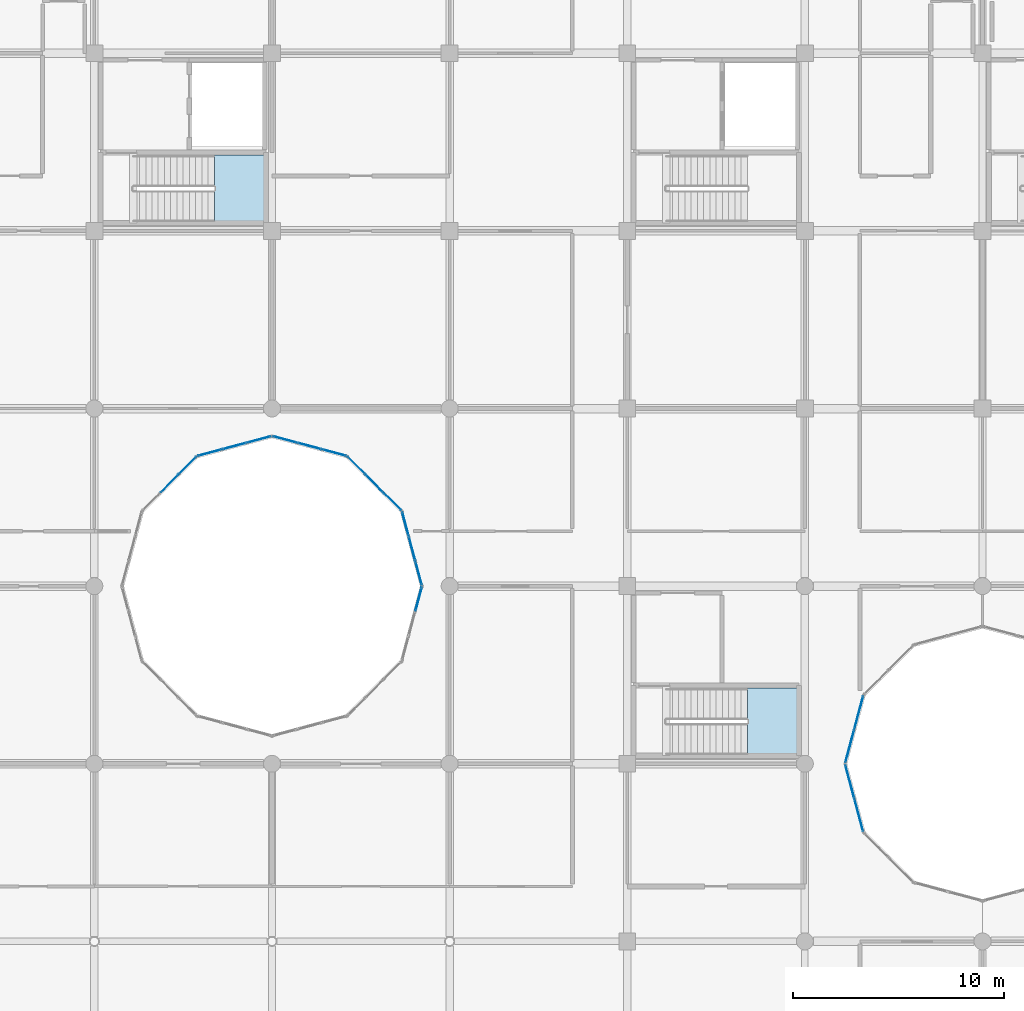
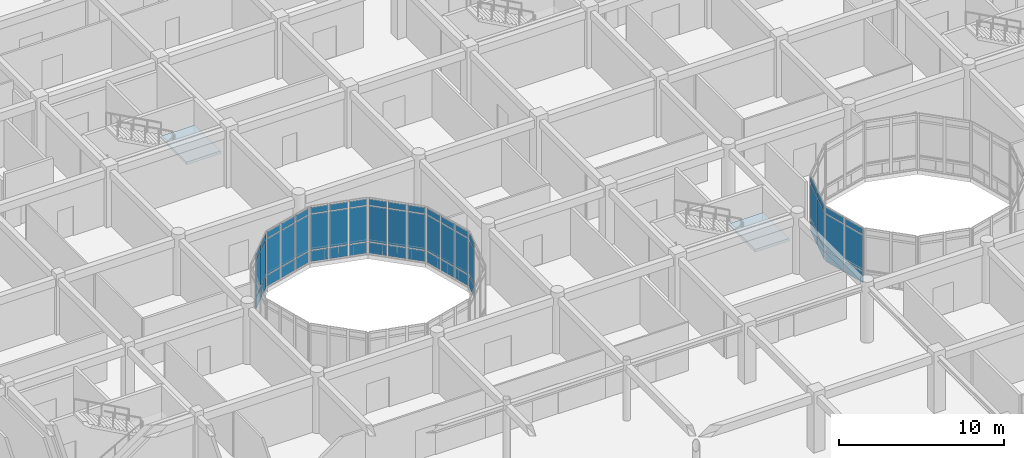
# One storey, part 82 of 144: 57 plates, 2 slabs, 10 elements without a shape of their own.
"""IFC4 building model written with IfcOpenShell, lengths in metres."""

from ifc_helpers import new_model, si_unit, direction, frame, origin, origin_2d, place, context, subcontext, project, spatial, polyline, rectangle, outline, extrude, material, layer, layer_set, type_object, element, aggregate, save


model = new_model("IFC4")

# Units and contexts
model_context = context("Model", 3, precision=1e-05, world=origin(), true_north=direction((0.0, 1.0)))
body_context = subcontext(model_context, "Body", "Model", "MODEL_VIEW")
ifc_project = project(units=[si_unit("LENGTHUNIT", "METRE"), si_unit("AREAUNIT", "SQUARE_METRE"), si_unit("VOLUMEUNIT", "CUBIC_METRE"), si_unit("PLANEANGLEUNIT", "RADIAN"), si_unit("MASSUNIT", "GRAM", prefix="KILO")], contexts=[model_context])

# Site, building, storey
site_placement = place(None, origin())
site = spatial("IfcSite", under=ifc_project, at=site_placement, CompositionType="ELEMENT")
building_placement = place(site_placement, origin())
building = spatial("IfcBuilding", under=site, at=building_placement, Name="Bramfleet General Hospital", CompositionType="ELEMENT")
storey_placement = place(building_placement, frame((0.0, 0.0, 4.800048828125)))
storey = spatial("IfcBuildingStorey", under=building, at=storey_placement, Name="L01", CompositionType="ELEMENT", Elevation=4.800048828125)

# Curtain wall, plates
ifc_material_1 = material(Name="Anodised aluminium and low-E triple glazing", Category="aluminium")
ifc_layer_1 = layer(ifc_material_1, 0.179931640625, Name="CWT-CW-18")
ifc_layer_set_1 = layer_set([ifc_layer_1], Name="Anodised aluminium and low-E triple glazing")
curtain_wall_type_1 = type_object("IfcCurtainWallType", Name="CWT-CW-18", PredefinedType="USERDEFINED", material=ifc_layer_set_1)
curtain_wall_1_placement = place(storey_placement, origin())
curtain_wall_1 = element("IfcCurtainWall", 1, at=curtain_wall_1_placement, inside=storey, type_object=curtain_wall_type_1, Name="L01 Central Diagnostic Light Court Curtain Wall 6.1", ObjectType="Stick curtain wall", PredefinedType="USERDEFINED")
ifc_material_2 = material(Name="Low-E laminated safety glass", Category="glass")
ifc_layer_2 = layer(ifc_material_2, 0.031982421875, Name="CWP-GLZ-2")
ifc_layer_set_2 = layer_set([ifc_layer_2], Name="Low-E laminated safety glass")
plate_type = type_object("IfcPlateType", Name="CWP-GLZ-2", PredefinedType="CURTAIN_PANEL", material=ifc_layer_set_2)
plate_1_placement = place(storey_placement, frame((90.93701171875, 74.991455078125, 0.06494140625), z_axis=(0.0, 0.0, 1.0), x_axis=(0.258763286618, 0.965940765005, 0.0)))
plate_1 = element("IfcPlate", 2, at=plate_1_placement, type_object=plate_type, Name="CW-18 panel 3.1", PredefinedType="CURTAIN_PANEL", context=body_context, shape_type="SweptSolid", body=[
    extrude(rectangle(XDim=1.1201171875, YDim=0.031982421875, at=origin_2d()), origin(), (0.0, 0.0, 1.0), 0.802490234375),
])
plate_2_placement = place(storey_placement, frame((90.93701171875, 74.991455078125, 0.932373046875), z_axis=(0.0, 0.0, 1.0), x_axis=(0.258763286618, 0.965940765005, 0.0)))
plate_2 = element("IfcPlate", 3, at=plate_2_placement, type_object=plate_type, Name="CW-18 panel 3.2", PredefinedType="CURTAIN_PANEL", context=body_context, shape_type="SweptSolid", body=[
    extrude(rectangle(XDim=1.1201171875, YDim=0.031982421875, at=origin_2d()), origin(), (0.0, 0.0, 1.0), 2.625),
])
plate_3_placement = place(storey_placement, frame((90.93701171875, 74.991455078125, 3.62255859375), z_axis=(0.0, 0.0, 1.0), x_axis=(0.258763286618, 0.965940765005, 0.0)))
plate_3 = element("IfcPlate", 4, at=plate_3_placement, type_object=plate_type, Name="CW-18 panel 3.3", PredefinedType="CURTAIN_PANEL", context=body_context, shape_type="SweptSolid", body=[
    extrude(rectangle(XDim=1.1201171875, YDim=0.031982421875, at=origin_2d()), origin(), (0.0, 0.0, 1.0), 0.452392578125),
])
aggregate(curtain_wall_1, [plate_1, plate_2, plate_3])

ifc_layer_3 = layer(ifc_material_1, 0.179931640625, Name="CWT-CW-11")
ifc_layer_set_3 = layer_set([ifc_layer_3], Name="Anodised aluminium and low-E triple glazing")
curtain_wall_type_2 = type_object("IfcCurtainWallType", Name="CWT-CW-11", PredefinedType="USERDEFINED", material=ifc_layer_set_3)
curtain_wall_2_placement = place(storey_placement, origin())
curtain_wall_2 = element("IfcCurtainWall", 5, at=curtain_wall_2_placement, inside=storey, type_object=curtain_wall_type_2, Name="L01 Central Diagnostic Light Court Curtain Wall 7.1", ObjectType="Stick curtain wall", PredefinedType="USERDEFINED")
plate_4_placement = place(storey_placement, frame((90.93701171875, 76.20849609375, 0.06494140625), z_axis=(0.0, 0.0, 1.0), x_axis=(-0.258763286618, 0.965940765005, 0.0)))
plate_4 = element("IfcPlate", 6, at=plate_4_placement, type_object=plate_type, Name="CW-11 panel 1.1", PredefinedType="CURTAIN_PANEL", context=body_context, shape_type="SweptSolid", body=[
    extrude(rectangle(XDim=1.1201171875, YDim=0.031982421875, at=origin_2d()), origin(), (0.0, 0.0, 1.0), 0.802490234375),
])
plate_5_placement = place(storey_placement, frame((90.93701171875, 76.20849609375, 0.932373046875), z_axis=(0.0, 0.0, 1.0), x_axis=(-0.258763286618, 0.965940765005, 0.0)))
plate_5 = element("IfcPlate", 7, at=plate_5_placement, type_object=plate_type, Name="CW-11 panel 1.2", PredefinedType="CURTAIN_PANEL", context=body_context, shape_type="SweptSolid", body=[
    extrude(rectangle(XDim=1.1201171875, YDim=0.031982421875, at=origin_2d()), origin(), (0.0, 0.0, 1.0), 2.625),
])
plate_6_placement = place(storey_placement, frame((90.93701171875, 76.20849609375, 3.62255859375), z_axis=(0.0, 0.0, 1.0), x_axis=(-0.258763286618, 0.965940765005, 0.0)))
plate_6 = element("IfcPlate", 8, at=plate_6_placement, type_object=plate_type, Name="CW-11 panel 1.3", PredefinedType="CURTAIN_PANEL", context=body_context, shape_type="SweptSolid", body=[
    extrude(rectangle(XDim=1.1201171875, YDim=0.031982421875, at=origin_2d()), origin(), (0.0, 0.0, 1.0), 0.452392578125),
])
plate_7_placement = place(storey_placement, frame((90.62451171875, 77.375, 0.06494140625), z_axis=(0.0, 0.0, 1.0), x_axis=(-0.258763286618, 0.965940765005, 0.0)))
plate_7 = element("IfcPlate", 9, at=plate_7_placement, type_object=plate_type, Name="CW-11 panel 2.1", PredefinedType="CURTAIN_PANEL", context=body_context, shape_type="SweptSolid", body=[
    extrude(rectangle(XDim=1.155029296875, YDim=0.031982421875, at=origin_2d()), origin(), (0.0, 0.0, 1.0), 0.802490234375),
])
plate_8_placement = place(storey_placement, frame((90.62451171875, 77.375, 0.932373046875), z_axis=(0.0, 0.0, 1.0), x_axis=(-0.258763286618, 0.965940765005, 0.0)))
plate_8 = element("IfcPlate", 10, at=plate_8_placement, type_object=plate_type, Name="CW-11 panel 2.2", PredefinedType="CURTAIN_PANEL", context=body_context, shape_type="SweptSolid", body=[
    extrude(rectangle(XDim=1.155029296875, YDim=0.031982421875, at=origin_2d()), origin(), (0.0, 0.0, 1.0), 2.625),
])
plate_9_placement = place(storey_placement, frame((90.62451171875, 77.375, 3.62255859375), z_axis=(0.0, 0.0, 1.0), x_axis=(-0.258763286618, 0.965940765005, 0.0)))
plate_9 = element("IfcPlate", 11, at=plate_9_placement, type_object=plate_type, Name="CW-11 panel 2.3", PredefinedType="CURTAIN_PANEL", context=body_context, shape_type="SweptSolid", body=[
    extrude(rectangle(XDim=1.155029296875, YDim=0.031982421875, at=origin_2d()), origin(), (0.0, 0.0, 1.0), 0.452392578125),
])
plate_10_placement = place(storey_placement, frame((90.31201171875, 78.54150390625, 0.06494140625), z_axis=(0.0, 0.0, 1.0), x_axis=(-0.258763286618, 0.965940765005, 0.0)))
plate_10 = element("IfcPlate", 12, at=plate_10_placement, type_object=plate_type, Name="CW-11 panel 3.1", PredefinedType="CURTAIN_PANEL", context=body_context, shape_type="SweptSolid", body=[
    extrude(rectangle(XDim=1.1201171875, YDim=0.031982421875, at=origin_2d()), origin(), (0.0, 0.0, 1.0), 0.802490234375),
])
plate_11_placement = place(storey_placement, frame((90.31201171875, 78.54150390625, 0.932373046875), z_axis=(0.0, 0.0, 1.0), x_axis=(-0.258763286618, 0.965940765005, 0.0)))
plate_11 = element("IfcPlate", 13, at=plate_11_placement, type_object=plate_type, Name="CW-11 panel 3.2", PredefinedType="CURTAIN_PANEL", context=body_context, shape_type="SweptSolid", body=[
    extrude(rectangle(XDim=1.1201171875, YDim=0.031982421875, at=origin_2d()), origin(), (0.0, 0.0, 1.0), 2.625),
])
plate_12_placement = place(storey_placement, frame((90.31201171875, 78.54150390625, 3.62255859375), z_axis=(0.0, 0.0, 1.0), x_axis=(-0.258763286618, 0.965940765005, 0.0)))
plate_12 = element("IfcPlate", 14, at=plate_12_placement, type_object=plate_type, Name="CW-11 panel 3.3", PredefinedType="CURTAIN_PANEL", context=body_context, shape_type="SweptSolid", body=[
    extrude(rectangle(XDim=1.1201171875, YDim=0.031982421875, at=origin_2d()), origin(), (0.0, 0.0, 1.0), 0.452392578125),
])
aggregate(curtain_wall_2, [plate_4, plate_5, plate_6, plate_7, plate_8, plate_9, plate_10, plate_11, plate_12])

ifc_layer_4 = layer(ifc_material_1, 0.179931640625, Name="CWT-CW-12")
ifc_layer_set_4 = layer_set([ifc_layer_4], Name="Anodised aluminium and low-E triple glazing")
curtain_wall_type_3 = type_object("IfcCurtainWallType", Name="CWT-CW-12", PredefinedType="USERDEFINED", material=ifc_layer_set_4)
curtain_wall_3_placement = place(storey_placement, origin())
curtain_wall_3 = element("IfcCurtainWall", 15, at=curtain_wall_3_placement, inside=storey, type_object=curtain_wall_type_3, Name="L01 Central Diagnostic Light Court Curtain Wall 8.1", ObjectType="Stick curtain wall", PredefinedType="USERDEFINED")
plate_13_placement = place(storey_placement, frame((89.703369140625, 79.595458984375, 0.06494140625), z_axis=(0.0, 0.0, 1.0), x_axis=(-0.707106781187, 0.707106781187, 0.0)))
plate_13 = element("IfcPlate", 16, at=plate_13_placement, type_object=plate_type, Name="CW-12 panel 1.1", PredefinedType="CURTAIN_PANEL", context=body_context, shape_type="SweptSolid", body=[
    extrude(rectangle(XDim=1.1201171875, YDim=0.031982421875, at=origin_2d()), origin(), (0.0, 0.0, 1.0), 0.802490234375),
])
plate_14_placement = place(storey_placement, frame((89.703369140625, 79.595458984375, 0.932373046875), z_axis=(0.0, 0.0, 1.0), x_axis=(-0.707106781187, 0.707106781187, 0.0)))
plate_14 = element("IfcPlate", 17, at=plate_14_placement, type_object=plate_type, Name="CW-12 panel 1.2", PredefinedType="CURTAIN_PANEL", context=body_context, shape_type="SweptSolid", body=[
    extrude(rectangle(XDim=1.1201171875, YDim=0.031982421875, at=origin_2d()), origin(), (0.0, 0.0, 1.0), 2.625),
])
plate_15_placement = place(storey_placement, frame((89.703369140625, 79.595458984375, 3.62255859375), z_axis=(0.0, 0.0, 1.0), x_axis=(-0.707106781187, 0.707106781187, 0.0)))
plate_15 = element("IfcPlate", 18, at=plate_15_placement, type_object=plate_type, Name="CW-12 panel 1.3", PredefinedType="CURTAIN_PANEL", context=body_context, shape_type="SweptSolid", body=[
    extrude(rectangle(XDim=1.1201171875, YDim=0.031982421875, at=origin_2d()), origin(), (0.0, 0.0, 1.0), 0.452392578125),
])
plate_16_placement = place(storey_placement, frame((88.849609375, 80.449462890625, 0.06494140625), z_axis=(0.0, 0.0, 1.0), x_axis=(-0.707106781187, 0.707106781187, 0.0)))
plate_16 = element("IfcPlate", 19, at=plate_16_placement, type_object=plate_type, Name="CW-12 panel 2.1", PredefinedType="CURTAIN_PANEL", context=body_context, shape_type="SweptSolid", body=[
    extrude(rectangle(XDim=1.1552734375, YDim=0.031982421875, at=origin_2d()), origin(), (0.0, 0.0, 1.0), 0.802490234375),
])
plate_17_placement = place(storey_placement, frame((88.849609375, 80.449462890625, 0.932373046875), z_axis=(0.0, 0.0, 1.0), x_axis=(-0.707106781187, 0.707106781187, 0.0)))
plate_17 = element("IfcPlate", 20, at=plate_17_placement, type_object=plate_type, Name="CW-12 panel 2.2", PredefinedType="CURTAIN_PANEL", context=body_context, shape_type="SweptSolid", body=[
    extrude(rectangle(XDim=1.1552734375, YDim=0.031982421875, at=origin_2d()), origin(), (0.0, 0.0, 1.0), 2.625),
])
plate_18_placement = place(storey_placement, frame((88.849609375, 80.449462890625, 3.62255859375), z_axis=(0.0, 0.0, 1.0), x_axis=(-0.707106781187, 0.707106781187, 0.0)))
plate_18 = element("IfcPlate", 21, at=plate_18_placement, type_object=plate_type, Name="CW-12 panel 2.3", PredefinedType="CURTAIN_PANEL", context=body_context, shape_type="SweptSolid", body=[
    extrude(rectangle(XDim=1.1552734375, YDim=0.031982421875, at=origin_2d()), origin(), (0.0, 0.0, 1.0), 0.452392578125),
])
plate_19_placement = place(storey_placement, frame((87.99560546875, 81.303466796875, 0.06494140625), z_axis=(0.0, 0.0, 1.0), x_axis=(-0.707106781187, 0.707106781187, 0.0)))
plate_19 = element("IfcPlate", 22, at=plate_19_placement, type_object=plate_type, Name="CW-12 panel 3.1", PredefinedType="CURTAIN_PANEL", context=body_context, shape_type="SweptSolid", body=[
    extrude(rectangle(XDim=1.1201171875, YDim=0.031982421875, at=origin_2d()), origin(), (0.0, 0.0, 1.0), 0.802490234375),
])
plate_20_placement = place(storey_placement, frame((87.99560546875, 81.303466796875, 0.932373046875), z_axis=(0.0, 0.0, 1.0), x_axis=(-0.707106781187, 0.707106781187, 0.0)))
plate_20 = element("IfcPlate", 23, at=plate_20_placement, type_object=plate_type, Name="CW-12 panel 3.2", PredefinedType="CURTAIN_PANEL", context=body_context, shape_type="SweptSolid", body=[
    extrude(rectangle(XDim=1.1201171875, YDim=0.031982421875, at=origin_2d()), origin(), (0.0, 0.0, 1.0), 2.625),
])
plate_21_placement = place(storey_placement, frame((87.99560546875, 81.303466796875, 3.62255859375), z_axis=(0.0, 0.0, 1.0), x_axis=(-0.707106781187, 0.707106781187, 0.0)))
plate_21 = element("IfcPlate", 24, at=plate_21_placement, type_object=plate_type, Name="CW-12 panel 3.3", PredefinedType="CURTAIN_PANEL", context=body_context, shape_type="SweptSolid", body=[
    extrude(rectangle(XDim=1.1201171875, YDim=0.031982421875, at=origin_2d()), origin(), (0.0, 0.0, 1.0), 0.452392578125),
])
aggregate(curtain_wall_3, [plate_13, plate_14, plate_15, plate_16, plate_17, plate_18, plate_19, plate_20, plate_21])

ifc_layer_5 = layer(ifc_material_1, 0.179931640625, Name="CWT-CW-13")
ifc_layer_set_5 = layer_set([ifc_layer_5], Name="Anodised aluminium and low-E triple glazing")
curtain_wall_type_4 = type_object("IfcCurtainWallType", Name="CWT-CW-13", PredefinedType="USERDEFINED", material=ifc_layer_set_5)
curtain_wall_4_placement = place(storey_placement, origin())
curtain_wall_4 = element("IfcCurtainWall", 25, at=curtain_wall_4_placement, inside=storey, type_object=curtain_wall_type_4, Name="L01 Central Diagnostic Light Court Curtain Wall 9.1", ObjectType="Stick curtain wall", PredefinedType="USERDEFINED")
plate_22_placement = place(storey_placement, frame((86.94140625, 81.912109375, 0.06494140625), z_axis=(0.0, 0.0, 1.0), x_axis=(-0.965940765005, 0.258763286618, 0.0)))
plate_22 = element("IfcPlate", 26, at=plate_22_placement, type_object=plate_type, Name="CW-13 panel 1.1", PredefinedType="CURTAIN_PANEL", context=body_context, shape_type="SweptSolid", body=[
    extrude(rectangle(XDim=1.1201171875, YDim=0.031982421875, at=origin_2d()), origin(), (0.0, 0.0, 1.0), 0.802490234375),
])
plate_23_placement = place(storey_placement, frame((86.94140625, 81.912109375, 0.932373046875), z_axis=(0.0, 0.0, 1.0), x_axis=(-0.965940765005, 0.258763286618, 0.0)))
plate_23 = element("IfcPlate", 27, at=plate_23_placement, type_object=plate_type, Name="CW-13 panel 1.2", PredefinedType="CURTAIN_PANEL", context=body_context, shape_type="SweptSolid", body=[
    extrude(rectangle(XDim=1.1201171875, YDim=0.031982421875, at=origin_2d()), origin(), (0.0, 0.0, 1.0), 2.625),
])
plate_24_placement = place(storey_placement, frame((86.94140625, 81.912109375, 3.62255859375), z_axis=(0.0, 0.0, 1.0), x_axis=(-0.965940765005, 0.258763286618, 0.0)))
plate_24 = element("IfcPlate", 28, at=plate_24_placement, type_object=plate_type, Name="CW-13 panel 1.3", PredefinedType="CURTAIN_PANEL", context=body_context, shape_type="SweptSolid", body=[
    extrude(rectangle(XDim=1.1201171875, YDim=0.031982421875, at=origin_2d()), origin(), (0.0, 0.0, 1.0), 0.452392578125),
])
plate_25_placement = place(storey_placement, frame((85.77490234375, 82.224609375, 0.06494140625), z_axis=(0.0, 0.0, 1.0), x_axis=(-0.965940765005, 0.258763286618, 0.0)))
plate_25 = element("IfcPlate", 29, at=plate_25_placement, type_object=plate_type, Name="CW-13 panel 2.1", PredefinedType="CURTAIN_PANEL", context=body_context, shape_type="SweptSolid", body=[
    extrude(rectangle(XDim=1.155029296875, YDim=0.031982421875, at=origin_2d()), origin(), (0.0, 0.0, 1.0), 0.802490234375),
])
plate_26_placement = place(storey_placement, frame((85.77490234375, 82.224609375, 0.932373046875), z_axis=(0.0, 0.0, 1.0), x_axis=(-0.965940765005, 0.258763286618, 0.0)))
plate_26 = element("IfcPlate", 30, at=plate_26_placement, type_object=plate_type, Name="CW-13 panel 2.2", PredefinedType="CURTAIN_PANEL", context=body_context, shape_type="SweptSolid", body=[
    extrude(rectangle(XDim=1.155029296875, YDim=0.031982421875, at=origin_2d()), origin(), (0.0, 0.0, 1.0), 2.625),
])
plate_27_placement = place(storey_placement, frame((85.77490234375, 82.224609375, 3.62255859375), z_axis=(0.0, 0.0, 1.0), x_axis=(-0.965940765005, 0.258763286618, 0.0)))
plate_27 = element("IfcPlate", 31, at=plate_27_placement, type_object=plate_type, Name="CW-13 panel 2.3", PredefinedType="CURTAIN_PANEL", context=body_context, shape_type="SweptSolid", body=[
    extrude(rectangle(XDim=1.155029296875, YDim=0.031982421875, at=origin_2d()), origin(), (0.0, 0.0, 1.0), 0.452392578125),
])
plate_28_placement = place(storey_placement, frame((84.608642578125, 82.536865234375, 0.06494140625), z_axis=(0.0, 0.0, 1.0), x_axis=(-0.965940765005, 0.258763286618, 0.0)))
plate_28 = element("IfcPlate", 32, at=plate_28_placement, type_object=plate_type, Name="CW-13 panel 3.1", PredefinedType="CURTAIN_PANEL", context=body_context, shape_type="SweptSolid", body=[
    extrude(rectangle(XDim=1.1201171875, YDim=0.031982421875, at=origin_2d()), origin(), (0.0, 0.0, 1.0), 0.802490234375),
])
plate_29_placement = place(storey_placement, frame((84.608642578125, 82.536865234375, 0.932373046875), z_axis=(0.0, 0.0, 1.0), x_axis=(-0.965940765005, 0.258763286618, 0.0)))
plate_29 = element("IfcPlate", 33, at=plate_29_placement, type_object=plate_type, Name="CW-13 panel 3.2", PredefinedType="CURTAIN_PANEL", context=body_context, shape_type="SweptSolid", body=[
    extrude(rectangle(XDim=1.1201171875, YDim=0.031982421875, at=origin_2d()), origin(), (0.0, 0.0, 1.0), 2.625),
])
plate_30_placement = place(storey_placement, frame((84.608642578125, 82.536865234375, 3.62255859375), z_axis=(0.0, 0.0, 1.0), x_axis=(-0.965940765005, 0.258763286618, 0.0)))
plate_30 = element("IfcPlate", 34, at=plate_30_placement, type_object=plate_type, Name="CW-13 panel 3.3", PredefinedType="CURTAIN_PANEL", context=body_context, shape_type="SweptSolid", body=[
    extrude(rectangle(XDim=1.1201171875, YDim=0.031982421875, at=origin_2d()), origin(), (0.0, 0.0, 1.0), 0.452392578125),
])
aggregate(curtain_wall_4, [plate_22, plate_23, plate_24, plate_25, plate_26, plate_27, plate_28, plate_29, plate_30])

ifc_layer_6 = layer(ifc_material_1, 0.179931640625, Name="CWT-CW-14")
ifc_layer_set_6 = layer_set([ifc_layer_6], Name="Anodised aluminium and low-E triple glazing")
curtain_wall_type_5 = type_object("IfcCurtainWallType", Name="CWT-CW-14", PredefinedType="USERDEFINED", material=ifc_layer_set_6)
curtain_wall_5_placement = place(storey_placement, origin())
curtain_wall_5 = element("IfcCurtainWall", 35, at=curtain_wall_5_placement, inside=storey, type_object=curtain_wall_type_5, Name="L01 Central Diagnostic Light Court Curtain Wall 10.1", ObjectType="Stick curtain wall", PredefinedType="USERDEFINED")
plate_31_placement = place(storey_placement, frame((83.391357421875, 82.536865234375, 0.06494140625), z_axis=(0.0, 0.0, 1.0), x_axis=(-0.965940765005, -0.258763286618, 0.0)))
plate_31 = element("IfcPlate", 36, at=plate_31_placement, type_object=plate_type, Name="CW-14 panel 1.1", PredefinedType="CURTAIN_PANEL", context=body_context, shape_type="SweptSolid", body=[
    extrude(rectangle(XDim=1.1201171875, YDim=0.031982421875, at=origin_2d()), origin(), (0.0, 0.0, 1.0), 0.802490234375),
])
plate_32_placement = place(storey_placement, frame((83.391357421875, 82.536865234375, 0.932373046875), z_axis=(0.0, 0.0, 1.0), x_axis=(-0.965940765005, -0.258763286618, 0.0)))
plate_32 = element("IfcPlate", 37, at=plate_32_placement, type_object=plate_type, Name="CW-14 panel 1.2", PredefinedType="CURTAIN_PANEL", context=body_context, shape_type="SweptSolid", body=[
    extrude(rectangle(XDim=1.1201171875, YDim=0.031982421875, at=origin_2d()), origin(), (0.0, 0.0, 1.0), 2.625),
])
plate_33_placement = place(storey_placement, frame((83.391357421875, 82.536865234375, 3.62255859375), z_axis=(0.0, 0.0, 1.0), x_axis=(-0.965940765005, -0.258763286618, 0.0)))
plate_33 = element("IfcPlate", 38, at=plate_33_placement, type_object=plate_type, Name="CW-14 panel 1.3", PredefinedType="CURTAIN_PANEL", context=body_context, shape_type="SweptSolid", body=[
    extrude(rectangle(XDim=1.1201171875, YDim=0.031982421875, at=origin_2d()), origin(), (0.0, 0.0, 1.0), 0.452392578125),
])
plate_34_placement = place(storey_placement, frame((82.22509765625, 82.224609375, 0.06494140625), z_axis=(0.0, 0.0, 1.0), x_axis=(-0.965940765005, -0.258763286618, 0.0)))
plate_34 = element("IfcPlate", 39, at=plate_34_placement, type_object=plate_type, Name="CW-14 panel 2.1", PredefinedType="CURTAIN_PANEL", context=body_context, shape_type="SweptSolid", body=[
    extrude(rectangle(XDim=1.155029296875, YDim=0.031982421875, at=origin_2d()), origin(), (0.0, 0.0, 1.0), 0.802490234375),
])
plate_35_placement = place(storey_placement, frame((82.22509765625, 82.224609375, 0.932373046875), z_axis=(0.0, 0.0, 1.0), x_axis=(-0.965940765005, -0.258763286618, 0.0)))
plate_35 = element("IfcPlate", 40, at=plate_35_placement, type_object=plate_type, Name="CW-14 panel 2.2", PredefinedType="CURTAIN_PANEL", context=body_context, shape_type="SweptSolid", body=[
    extrude(rectangle(XDim=1.155029296875, YDim=0.031982421875, at=origin_2d()), origin(), (0.0, 0.0, 1.0), 2.625),
])
plate_36_placement = place(storey_placement, frame((82.22509765625, 82.224609375, 3.62255859375), z_axis=(0.0, 0.0, 1.0), x_axis=(-0.965940765005, -0.258763286618, 0.0)))
plate_36 = element("IfcPlate", 41, at=plate_36_placement, type_object=plate_type, Name="CW-14 panel 2.3", PredefinedType="CURTAIN_PANEL", context=body_context, shape_type="SweptSolid", body=[
    extrude(rectangle(XDim=1.155029296875, YDim=0.031982421875, at=origin_2d()), origin(), (0.0, 0.0, 1.0), 0.452392578125),
])
plate_37_placement = place(storey_placement, frame((81.05859375, 81.912109375, 0.06494140625), z_axis=(0.0, 0.0, 1.0), x_axis=(-0.965940765005, -0.258763286618, 0.0)))
plate_37 = element("IfcPlate", 42, at=plate_37_placement, type_object=plate_type, Name="CW-14 panel 3.1", PredefinedType="CURTAIN_PANEL", context=body_context, shape_type="SweptSolid", body=[
    extrude(rectangle(XDim=1.1201171875, YDim=0.031982421875, at=origin_2d()), origin(), (0.0, 0.0, 1.0), 0.802490234375),
])
plate_38_placement = place(storey_placement, frame((81.05859375, 81.912109375, 0.932373046875), z_axis=(0.0, 0.0, 1.0), x_axis=(-0.965940765005, -0.258763286618, 0.0)))
plate_38 = element("IfcPlate", 43, at=plate_38_placement, type_object=plate_type, Name="CW-14 panel 3.2", PredefinedType="CURTAIN_PANEL", context=body_context, shape_type="SweptSolid", body=[
    extrude(rectangle(XDim=1.1201171875, YDim=0.031982421875, at=origin_2d()), origin(), (0.0, 0.0, 1.0), 2.625),
])
plate_39_placement = place(storey_placement, frame((81.05859375, 81.912109375, 3.62255859375), z_axis=(0.0, 0.0, 1.0), x_axis=(-0.965940765005, -0.258763286618, 0.0)))
plate_39 = element("IfcPlate", 44, at=plate_39_placement, type_object=plate_type, Name="CW-14 panel 3.3", PredefinedType="CURTAIN_PANEL", context=body_context, shape_type="SweptSolid", body=[
    extrude(rectangle(XDim=1.1201171875, YDim=0.031982421875, at=origin_2d()), origin(), (0.0, 0.0, 1.0), 0.452392578125),
])
aggregate(curtain_wall_5, [plate_31, plate_32, plate_33, plate_34, plate_35, plate_36, plate_37, plate_38, plate_39])

ifc_layer_7 = layer(ifc_material_1, 0.179931640625, Name="CWT-CW-15")
ifc_layer_set_7 = layer_set([ifc_layer_7], Name="Anodised aluminium and low-E triple glazing")
curtain_wall_type_6 = type_object("IfcCurtainWallType", Name="CWT-CW-15", PredefinedType="USERDEFINED", material=ifc_layer_set_7)
curtain_wall_6_placement = place(storey_placement, origin())
curtain_wall_6 = element("IfcCurtainWall", 45, at=curtain_wall_6_placement, inside=storey, type_object=curtain_wall_type_6, Name="L01 Central Diagnostic Light Court Curtain Wall 11.1", ObjectType="Stick curtain wall", PredefinedType="USERDEFINED")
plate_40_placement = place(storey_placement, frame((80.00439453125, 81.303466796875, 0.06494140625), z_axis=(0.0, 0.0, 1.0), x_axis=(-0.707106781187, -0.707106781187, 0.0)))
plate_40 = element("IfcPlate", 46, at=plate_40_placement, type_object=plate_type, Name="CW-15 panel 1.1", PredefinedType="CURTAIN_PANEL", context=body_context, shape_type="SweptSolid", body=[
    extrude(rectangle(XDim=1.1201171875, YDim=0.031982421875, at=origin_2d()), origin(), (0.0, 0.0, 1.0), 0.802490234375),
])
plate_41_placement = place(storey_placement, frame((80.00439453125, 81.303466796875, 0.932373046875), z_axis=(0.0, 0.0, 1.0), x_axis=(-0.707106781187, -0.707106781187, 0.0)))
plate_41 = element("IfcPlate", 47, at=plate_41_placement, type_object=plate_type, Name="CW-15 panel 1.2", PredefinedType="CURTAIN_PANEL", context=body_context, shape_type="SweptSolid", body=[
    extrude(rectangle(XDim=1.1201171875, YDim=0.031982421875, at=origin_2d()), origin(), (0.0, 0.0, 1.0), 2.625),
])
plate_42_placement = place(storey_placement, frame((80.00439453125, 81.303466796875, 3.62255859375), z_axis=(0.0, 0.0, 1.0), x_axis=(-0.707106781187, -0.707106781187, 0.0)))
plate_42 = element("IfcPlate", 48, at=plate_42_placement, type_object=plate_type, Name="CW-15 panel 1.3", PredefinedType="CURTAIN_PANEL", context=body_context, shape_type="SweptSolid", body=[
    extrude(rectangle(XDim=1.1201171875, YDim=0.031982421875, at=origin_2d()), origin(), (0.0, 0.0, 1.0), 0.452392578125),
])
plate_43_placement = place(storey_placement, frame((79.150390625, 80.449462890625, 0.06494140625), z_axis=(0.0, 0.0, 1.0), x_axis=(-0.707106781187, -0.707106781187, 0.0)))
plate_43 = element("IfcPlate", 49, at=plate_43_placement, type_object=plate_type, Name="CW-15 panel 2.1", PredefinedType="CURTAIN_PANEL", context=body_context, shape_type="SweptSolid", body=[
    extrude(rectangle(XDim=1.1552734375, YDim=0.031982421875, at=origin_2d()), origin(), (0.0, 0.0, 1.0), 0.802490234375),
])
plate_44_placement = place(storey_placement, frame((79.150390625, 80.449462890625, 0.932373046875), z_axis=(0.0, 0.0, 1.0), x_axis=(-0.707106781187, -0.707106781187, 0.0)))
plate_44 = element("IfcPlate", 50, at=plate_44_placement, type_object=plate_type, Name="CW-15 panel 2.2", PredefinedType="CURTAIN_PANEL", context=body_context, shape_type="SweptSolid", body=[
    extrude(rectangle(XDim=1.1552734375, YDim=0.031982421875, at=origin_2d()), origin(), (0.0, 0.0, 1.0), 2.625),
])
plate_45_placement = place(storey_placement, frame((79.150390625, 80.449462890625, 3.62255859375), z_axis=(0.0, 0.0, 1.0), x_axis=(-0.707106781187, -0.707106781187, 0.0)))
plate_45 = element("IfcPlate", 51, at=plate_45_placement, type_object=plate_type, Name="CW-15 panel 2.3", PredefinedType="CURTAIN_PANEL", context=body_context, shape_type="SweptSolid", body=[
    extrude(rectangle(XDim=1.1552734375, YDim=0.031982421875, at=origin_2d()), origin(), (0.0, 0.0, 1.0), 0.452392578125),
])
aggregate(curtain_wall_6, [plate_40, plate_41, plate_42, plate_43, plate_44, plate_45])

ifc_layer_8 = layer(ifc_material_1, 0.179931640625, Name="CWT-CW-17")
ifc_layer_set_8 = layer_set([ifc_layer_8], Name="Anodised aluminium and low-E triple glazing")
curtain_wall_type_7 = type_object("IfcCurtainWallType", Name="CWT-CW-17", PredefinedType="USERDEFINED", material=ifc_layer_set_8)
curtain_wall_7_placement = place(storey_placement, origin())
curtain_wall_7 = element("IfcCurtainWall", 52, at=curtain_wall_7_placement, inside=storey, type_object=curtain_wall_type_7, Name="L01 East Laboratory Light Court Curtain Wall 1.1", ObjectType="Stick curtain wall", PredefinedType="USERDEFINED")
plate_46_placement = place(storey_placement, frame((111.322265625, 66.37060546875, 0.06494140625), z_axis=(0.0, 0.0, 1.0), x_axis=(0.258864833085, -0.965913556273, 0.0)))
plate_46 = element("IfcPlate", 53, at=plate_46_placement, type_object=plate_type, Name="CW-17 panel 1.1", PredefinedType="CURTAIN_PANEL", context=body_context, shape_type="SweptSolid", body=[
    extrude(rectangle(XDim=1.577392578125, YDim=0.031982421875, at=origin_2d()), origin(), (0.0, 0.0, 1.0), 0.802490234375),
])
plate_47_placement = place(storey_placement, frame((111.322265625, 66.37060546875, 0.932373046875), z_axis=(0.0, 0.0, 1.0), x_axis=(0.258864833085, -0.965913556273, 0.0)))
plate_47 = element("IfcPlate", 54, at=plate_47_placement, type_object=plate_type, Name="CW-17 panel 1.2", PredefinedType="CURTAIN_PANEL", context=body_context, shape_type="SweptSolid", body=[
    extrude(rectangle(XDim=1.577392578125, YDim=0.031982421875, at=origin_2d()), origin(), (0.0, 0.0, 1.0), 2.625),
])
plate_48_placement = place(storey_placement, frame((111.322265625, 66.37060546875, 3.62255859375), z_axis=(0.0, 0.0, 1.0), x_axis=(0.258864833085, -0.965913556273, 0.0)))
plate_48 = element("IfcPlate", 55, at=plate_48_placement, type_object=plate_type, Name="CW-17 panel 1.3", PredefinedType="CURTAIN_PANEL", context=body_context, shape_type="SweptSolid", body=[
    extrude(rectangle(XDim=1.577392578125, YDim=0.031982421875, at=origin_2d()), origin(), (0.0, 0.0, 1.0), 0.452392578125),
])
plate_49_placement = place(storey_placement, frame((111.748779296875, 64.779296875, 0.06494140625), z_axis=(0.0, 0.0, 1.0), x_axis=(0.258864833085, -0.965913556273, 0.0)))
plate_49 = element("IfcPlate", 56, at=plate_49_placement, type_object=plate_type, Name="CW-17 panel 2.1", PredefinedType="CURTAIN_PANEL", context=body_context, shape_type="SweptSolid", body=[
    extrude(rectangle(XDim=1.577392578125, YDim=0.031982421875, at=origin_2d()), origin(), (0.0, 0.0, 1.0), 0.802490234375),
])
plate_50_placement = place(storey_placement, frame((111.748779296875, 64.779296875, 0.932373046875), z_axis=(0.0, 0.0, 1.0), x_axis=(0.258864833085, -0.965913556273, 0.0)))
plate_50 = element("IfcPlate", 57, at=plate_50_placement, type_object=plate_type, Name="CW-17 panel 2.2", PredefinedType="CURTAIN_PANEL", context=body_context, shape_type="SweptSolid", body=[
    extrude(rectangle(XDim=1.577392578125, YDim=0.031982421875, at=origin_2d()), origin(), (0.0, 0.0, 1.0), 2.625),
])
plate_51_placement = place(storey_placement, frame((111.748779296875, 64.779296875, 3.62255859375), z_axis=(0.0, 0.0, 1.0), x_axis=(0.258864833085, -0.965913556273, 0.0)))
plate_51 = element("IfcPlate", 58, at=plate_51_placement, type_object=plate_type, Name="CW-17 panel 2.3", PredefinedType="CURTAIN_PANEL", context=body_context, shape_type="SweptSolid", body=[
    extrude(rectangle(XDim=1.577392578125, YDim=0.031982421875, at=origin_2d()), origin(), (0.0, 0.0, 1.0), 0.452392578125),
])
aggregate(curtain_wall_7, [plate_46, plate_47, plate_48, plate_49, plate_50, plate_51])

curtain_wall_8_placement = place(storey_placement, origin())
curtain_wall_8 = element("IfcCurtainWall", 59, at=curtain_wall_8_placement, inside=storey, type_object=curtain_wall_type_3, Name="L01 East Laboratory Light Court Curtain Wall 12.1", ObjectType="Stick curtain wall", PredefinedType="USERDEFINED")
plate_52_placement = place(storey_placement, frame((111.748779296875, 69.62060546875, 0.06494140625), z_axis=(0.0, 0.0, 1.0), x_axis=(-0.258864833085, -0.965913556273, 0.0)))
plate_52 = element("IfcPlate", 60, at=plate_52_placement, type_object=plate_type, Name="CW-12 panel 1.1", PredefinedType="CURTAIN_PANEL", context=body_context, shape_type="SweptSolid", body=[
    extrude(rectangle(XDim=1.577392578125, YDim=0.031982421875, at=origin_2d()), origin(), (0.0, 0.0, 1.0), 0.802490234375),
])
plate_53_placement = place(storey_placement, frame((111.748779296875, 69.62060546875, 0.932373046875), z_axis=(0.0, 0.0, 1.0), x_axis=(-0.258864833085, -0.965913556273, 0.0)))
plate_53 = element("IfcPlate", 61, at=plate_53_placement, type_object=plate_type, Name="CW-12 panel 1.2", PredefinedType="CURTAIN_PANEL", context=body_context, shape_type="SweptSolid", body=[
    extrude(rectangle(XDim=1.577392578125, YDim=0.031982421875, at=origin_2d()), origin(), (0.0, 0.0, 1.0), 2.625),
])
plate_54_placement = place(storey_placement, frame((111.748779296875, 69.62060546875, 3.62255859375), z_axis=(0.0, 0.0, 1.0), x_axis=(-0.258864833085, -0.965913556273, 0.0)))
plate_54 = element("IfcPlate", 62, at=plate_54_placement, type_object=plate_type, Name="CW-12 panel 1.3", PredefinedType="CURTAIN_PANEL", context=body_context, shape_type="SweptSolid", body=[
    extrude(rectangle(XDim=1.577392578125, YDim=0.031982421875, at=origin_2d()), origin(), (0.0, 0.0, 1.0), 0.452392578125),
])
plate_55_placement = place(storey_placement, frame((111.322265625, 68.029296875, 0.06494140625), z_axis=(0.0, 0.0, 1.0), x_axis=(-0.258864833085, -0.965913556273, 0.0)))
plate_55 = element("IfcPlate", 63, at=plate_55_placement, type_object=plate_type, Name="CW-12 panel 2.1", PredefinedType="CURTAIN_PANEL", context=body_context, shape_type="SweptSolid", body=[
    extrude(rectangle(XDim=1.577392578125, YDim=0.031982421875, at=origin_2d()), origin(), (0.0, 0.0, 1.0), 0.802490234375),
])
plate_56_placement = place(storey_placement, frame((111.322265625, 68.029296875, 0.932373046875), z_axis=(0.0, 0.0, 1.0), x_axis=(-0.258864833085, -0.965913556273, 0.0)))
plate_56 = element("IfcPlate", 64, at=plate_56_placement, type_object=plate_type, Name="CW-12 panel 2.2", PredefinedType="CURTAIN_PANEL", context=body_context, shape_type="SweptSolid", body=[
    extrude(rectangle(XDim=1.577392578125, YDim=0.031982421875, at=origin_2d()), origin(), (0.0, 0.0, 1.0), 2.625),
])
plate_57_placement = place(storey_placement, frame((111.322265625, 68.029296875, 3.62255859375), z_axis=(0.0, 0.0, 1.0), x_axis=(-0.258864833085, -0.965913556273, 0.0)))
plate_57 = element("IfcPlate", 65, at=plate_57_placement, type_object=plate_type, Name="CW-12 panel 2.3", PredefinedType="CURTAIN_PANEL", context=body_context, shape_type="SweptSolid", body=[
    extrude(rectangle(XDim=1.577392578125, YDim=0.031982421875, at=origin_2d()), origin(), (0.0, 0.0, 1.0), 0.452392578125),
])
aggregate(curtain_wall_8, [plate_52, plate_53, plate_54, plate_55, plate_56, plate_57])

# Stair, slab
ifc_material_3 = material(Name="Concrete C35/45", Category="concrete")
stair_type = type_object("IfcStairType", Name="STR-T2", PredefinedType="HALF_TURN_STAIR", material=ifc_material_3)
stair_1_placement = place(storey_placement, origin())
stair_1 = element("IfcStair", 66, at=stair_1_placement, inside=storey, type_object=stair_type, Name="L01 Core C5 (North-West Ward Wing) Protected Escape Stair", PredefinedType="HALF_TURN_STAIR")
ifc_layer_9 = layer(ifc_material_3, 0.199951171875, Name="SL-LND-200")
ifc_layer_set_9 = layer_set([ifc_layer_9], Name="Concrete C35/45")
slab_type = type_object("IfcSlabType", Name="SL-LND-200", PredefinedType="LANDING", material=ifc_layer_set_9)
slab_1_placement = place(storey_placement, frame((0.0, 0.0, 2.050048828125)))
slab_1 = element("IfcSlab", 67, at=slab_1_placement, type_object=slab_type, Name="ST-C5 landing 1", PredefinedType="LANDING", context=body_context, shape_type="SweptSolid", body=[
    extrude(outline(polyline([(81.27490234375, 92.820068359375), (83.659912109375, 92.820068359375), (83.659912109375, 95.97998046875), (81.27490234375, 95.97998046875), (81.27490234375, 92.820068359375)])), origin(), (0.0, 0.0, 1.0), 0.199951171875),
])
aggregate(stair_1, [slab_1])

stair_2_placement = place(storey_placement, origin())
stair_2 = element("IfcStair", 68, at=stair_2_placement, inside=storey, type_object=stair_type, Name="L01 Core C11 (Central Spine Escape) Protected Escape Stair", PredefinedType="HALF_TURN_STAIR")
slab_2_placement = place(storey_placement, frame((0.0, 0.0, 2.050048828125)))
slab_2 = element("IfcSlab", 69, at=slab_2_placement, type_object=slab_type, Name="ST-C11 landing 1", PredefinedType="LANDING", context=body_context, shape_type="SweptSolid", body=[
    extrude(outline(polyline([(106.47509765625, 67.6201171875), (108.860107421875, 67.6201171875), (108.860107421875, 70.780029296875), (106.47509765625, 70.780029296875), (106.47509765625, 67.6201171875)])), origin(), (0.0, 0.0, 1.0), 0.199951171875),
])
aggregate(stair_2, [slab_2])

save(model, "model.ifc")
